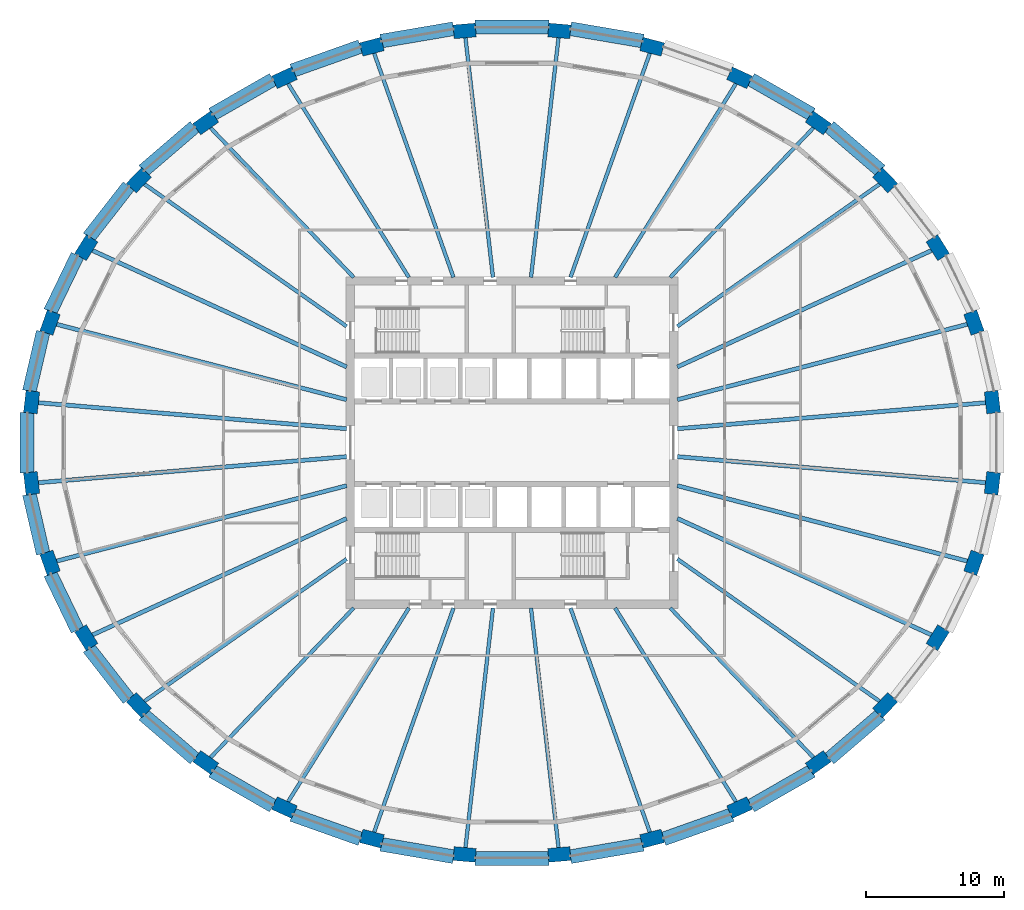
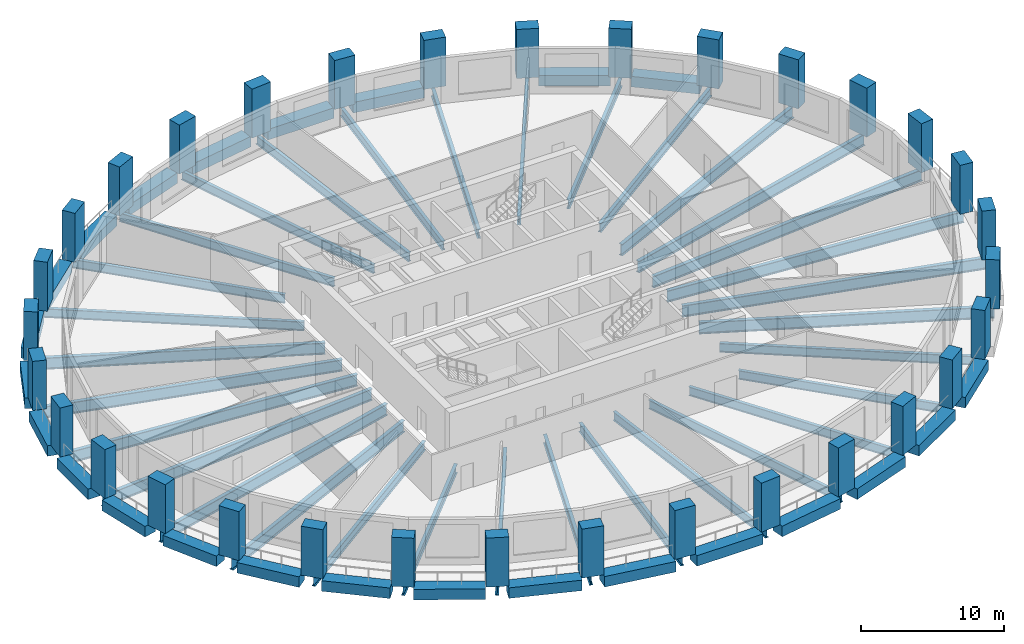
# One storey, part 1 of 10: 56 beams, 32 columns.
"""IFC4 building model written with IfcOpenShell, lengths in metres."""

from ifc_helpers import new_model, si_unit, direction, frame, origin, origin_2d, place, context, subcontext, project, spatial, rectangle, i_section, extrude, material, material_profile, profile_set, type_object, element, save


model = new_model("IFC4")

# Units and contexts
model_context = context("Model", 3, precision=1e-05, world=origin(), true_north=direction((0.0, 1.0)))
body_context = subcontext(model_context, "Body", "Model", "MODEL_VIEW")
ifc_project = project(units=[si_unit("LENGTHUNIT", "METRE"), si_unit("AREAUNIT", "SQUARE_METRE"), si_unit("VOLUMEUNIT", "CUBIC_METRE"), si_unit("PLANEANGLEUNIT", "RADIAN"), si_unit("MASSUNIT", "GRAM", prefix="KILO")], contexts=[model_context])

# Site, building, storey
site_placement = place(None, origin())
site = spatial("IfcSite", under=ifc_project, at=site_placement, CompositionType="ELEMENT")
building_placement = place(site_placement, origin())
building = spatial("IfcBuilding", under=site, at=building_placement, Name="Halqa Exchange Tower", CompositionType="ELEMENT")
storey_placement = place(building_placement, frame((0.0, 0.0, 112.89990234375)))
storey = spatial("IfcBuildingStorey", under=building, at=storey_placement, Name="L25", CompositionType="ELEMENT", Elevation=112.89990234375)

# Columns
ifc_material_1 = material(Name="Concrete C70/85", Category="concrete")
ifc_material_profile_1 = material_profile(ifc_material_1, rectangle(XDim=1.60009765625, YDim=1.0, at=origin_2d()), Name="1600 x 1000")
ifc_profile_set_1 = profile_set([ifc_material_profile_1], Name="Concrete C70/85")
column_type = type_object("IfcColumnType", Name="RC ring column 1600 x 1000 C70/85", PredefinedType="COLUMN", material=ifc_profile_set_1)
for number, where, z_axis, x_axis, name in (
    (1, (34.779052734375, 2.93603515625, 0.0), (0.0, 0.0, 1.0), (-0.114151720218, 0.993463328348, 0.0), "Ring column 1"),
    (2, (33.442626953125, 8.6953125, 0.0), (0.0, 0.0, 1.0), (-0.333624233576, 0.942706142321, 0.0), "Ring column 2"),
    (3, (30.82080078125, 14.12060546875, 0.0), (0.0, 0.0, 1.0), (-0.529141977228, 0.848533303964, 0.0), "Ring column 3"),
    (4, (27.0146484375, 19.003173828125, 0.0), (0.0, 0.0, 1.0), (-0.691573569977, 0.722306027463, 0.0), "Ring column 4"),
    (5, (22.17041015625, 23.155517578125, 0.0), (0.0, 0.0, 1.0), (-0.817906779671, 0.575350762377, 0.0), "Ring column 5"),
    (6, (16.47412109375, 26.41796875, 0.0), (0.0, 0.0, 1.0), (-0.909127095833, 0.416518815449, 0.0), "Ring column 6"),
    (7, (10.144775390625, 28.6650390625, 0.0), (0.0, 0.0, 1.0), (-0.967819942774, 0.251643713153, 0.0), "Ring column 7"),
    (8, (3.42529296875, 29.810791015625, 0.0), (0.0, 0.0, 1.0), (-0.996455518985, 0.084121333105, 0.0), "Ring column 8"),
    (9, (-3.42529296875, 29.810791015625, 0.0), (0.0, 0.0, 1.0), (-0.996455518985, -0.084121333105, 0.0), "Ring column 9"),
    (10, (-10.144775390625, 28.6650390625, 0.0), (0.0, 0.0, 1.0), (-0.967819942774, -0.251643713153, 0.0), "Ring column 10"),
    (11, (-16.47412109375, 26.41796875, 0.0), (0.0, 0.0, 1.0), (-0.909127095833, -0.416518815449, 0.0), "Ring column 11"),
    (12, (-22.17041015625, 23.155517578125, 0.0), (0.0, 0.0, 1.0), (-0.817906779671, -0.575350762377, 0.0), "Ring column 12"),
    (13, (-27.0146484375, 19.003173828125, 0.0), (0.0, 0.0, 1.0), (-0.691573569977, -0.722306027463, 0.0), "Ring column 13"),
    (14, (-30.82080078125, 14.12060546875, 0.0), (0.0, 0.0, 1.0), (-0.529141977228, -0.848533303964, 0.0), "Ring column 14"),
    (15, (-33.442626953125, 8.6953125, 0.0), (0.0, 0.0, 1.0), (-0.333624233576, -0.942706142321, 0.0), "Ring column 15"),
    (16, (-34.779052734375, 2.93603515625, 0.0), (0.0, 0.0, 1.0), (-0.114151720218, -0.993463328348, 0.0), "Ring column 16"),
    (17, (-34.779052734375, -2.93603515625, 0.0), (0.0, 0.0, 1.0), (0.114151720218, -0.993463328348, 0.0), "Ring column 17"),
    (18, (-33.442626953125, -8.6953125, 0.0), (0.0, 0.0, 1.0), (0.333624233576, -0.942706142321, 0.0), "Ring column 18"),
    (19, (-30.82080078125, -14.12060546875, 0.0), (0.0, 0.0, 1.0), (0.529141977228, -0.848533303964, 0.0), "Ring column 19"),
    (20, (-27.0146484375, -19.003173828125, 0.0), (0.0, 0.0, 1.0), (0.691573569977, -0.722306027463, 0.0), "Ring column 20"),
    (21, (-22.17041015625, -23.155517578125, 0.0), (0.0, 0.0, 1.0), (0.817906779671, -0.575350762377, 0.0), "Ring column 21"),
    (22, (-16.47412109375, -26.41796875, 0.0), (0.0, 0.0, 1.0), (0.909127095833, -0.416518815449, 0.0), "Ring column 22"),
    (23, (-10.144775390625, -28.6650390625, 0.0), (0.0, 0.0, 1.0), (0.967819942774, -0.251643713153, 0.0), "Ring column 23"),
    (24, (-3.42529296875, -29.810791015625, 0.0), (0.0, 0.0, 1.0), (0.996455518985, -0.084121333105, 0.0), "Ring column 24"),
    (25, (3.42529296875, -29.810791015625, 0.0), (0.0, 0.0, 1.0), (0.996455518985, 0.084121333105, 0.0), "Ring column 25"),
    (26, (10.144775390625, -28.6650390625, 0.0), (0.0, 0.0, 1.0), (0.967819942774, 0.251643713153, 0.0), "Ring column 26"),
    (27, (16.47412109375, -26.41796875, 0.0), (0.0, 0.0, 1.0), (0.909127095833, 0.416518815449, 0.0), "Ring column 27"),
    (28, (22.17041015625, -23.155517578125, 0.0), (0.0, 0.0, 1.0), (0.817906779671, 0.575350762377, 0.0), "Ring column 28"),
    (29, (27.0146484375, -19.003173828125, 0.0), (0.0, 0.0, 1.0), (0.691573569977, 0.722306027463, 0.0), "Ring column 29"),
    (30, (30.82080078125, -14.12060546875, 0.0), (0.0, 0.0, 1.0), (0.529141977228, 0.848533303964, 0.0), "Ring column 30"),
    (31, (33.442626953125, -8.6953125, 0.0), (0.0, 0.0, 1.0), (0.333624233576, 0.942706142321, 0.0), "Ring column 31"),
    (32, (34.779052734375, -2.93603515625, 0.0), (0.0, 0.0, 1.0), (0.114151720218, 0.993463328348, 0.0), "Ring column 32"),
):
    element("IfcColumn", number, at=place(storey_placement, frame(where, z_axis=z_axis, x_axis=x_axis)), inside=storey, type_object=column_type, Name=name, PredefinedType="COLUMN", context=body_context, shape_type="SweptSolid", body=[
        extrude(rectangle(XDim=1.60009765625, YDim=1.0, at=origin_2d()), origin(), (0.0, 0.0, 1.0), 4.2001953125),
    ])

# Beams
ifc_material_2 = material(Name="Steel S355", Category="steel")
ifc_material_profile_2 = material_profile(ifc_material_2, i_section(OverallWidth=0.300048828125, OverallDepth=0.989990234375, WebThickness=0.0166015625, FlangeThickness=0.031005859375, FilletRadius=0.030029296875, at=origin_2d()), Name="HEA 1000")
ifc_profile_set_2 = profile_set([ifc_material_profile_2], Name="Steel S355")
beam_type_1 = type_object("IfcBeamType", Name="Floor beam HEA 1000", PredefinedType="BEAM", material=ifc_profile_set_2)
beam_1_placement = place(storey_placement, frame((11.972412109375, 1.0107421875, -0.794921875), z_axis=(0.996455564778, 0.084120790668, 0.0), x_axis=(-0.084120790668, 0.996455564778, 0.0)))
element("IfcBeam", 33, at=beam_1_placement, inside=storey, type_object=beam_type_1, Name="Radial beam 1", PredefinedType="BEAM", context=body_context, shape_type="SweptSolid", body=[
    extrude(i_section(OverallWidth=0.300048828125, OverallDepth=0.989990234375, WebThickness=0.0166015625, FlangeThickness=0.031005859375, FilletRadius=0.030029296875, at=origin_2d()), origin(), (0.0, 0.0, 1.0), 22.99755859375),
])
beam_2_placement = place(storey_placement, frame((11.97119140625, 3.11279296875, -0.794921875), z_axis=(0.96782122626, 0.251638776821, 0.0), x_axis=(-0.251638776821, 0.96782122626, 0.0)))
element("IfcBeam", 34, at=beam_2_placement, inside=storey, type_object=beam_type_1, Name="Radial beam 2", PredefinedType="BEAM", context=body_context, shape_type="SweptSolid", body=[
    extrude(i_section(OverallWidth=0.300048828125, OverallDepth=0.989990234375, WebThickness=0.0166015625, FlangeThickness=0.031005859375, FilletRadius=0.030029296875, at=origin_2d()), origin(), (0.0, 0.0, 1.0), 22.28759765625),
])
for number, where, z_axis, x_axis, name in (
    (35, (11.972412109375, 5.485107421875, -0.794921875), (0.909124576493, 0.416524314316, 0.0), (-0.416524314316, 0.909124576493, 0.0), "Radial beam 3"),
    (36, (-11.972412109375, 5.485107421875, -0.794921875), (-0.909124576493, 0.416524314316, 0.0), (-0.416524314316, -0.909124576493, 0.0), "Radial beam 14"),
):
    element("IfcBeam", number, at=place(storey_placement, frame(where, z_axis=z_axis, x_axis=x_axis)), inside=storey, type_object=beam_type_1, Name=name, PredefinedType="BEAM", context=body_context, shape_type="SweptSolid", body=[
        extrude(i_section(OverallWidth=0.300048828125, OverallDepth=0.989990234375, WebThickness=0.0166015625, FlangeThickness=0.031005859375, FilletRadius=0.030029296875, at=origin_2d()), origin(), (0.0, 0.0, 1.0), 20.82421875),
    ])
beam_3_placement = place(storey_placement, frame((-11.97119140625, 3.11279296875, -0.794921875), z_axis=(-0.96782122626, 0.251638776821, 0.0), x_axis=(-0.251638776821, -0.96782122626, 0.0)))
element("IfcBeam", 37, at=beam_3_placement, inside=storey, type_object=beam_type_1, Name="Radial beam 15", PredefinedType="BEAM", context=body_context, shape_type="SweptSolid", body=[
    extrude(i_section(OverallWidth=0.300048828125, OverallDepth=0.989990234375, WebThickness=0.0166015625, FlangeThickness=0.031005859375, FilletRadius=0.030029296875, at=origin_2d()), origin(), (0.0, 0.0, 1.0), 22.28759765625),
])
for number, where, z_axis, x_axis, name in (
    (38, (-11.972412109375, 1.0107421875, -0.794921875), (-0.996455564778, 0.084120790668, 0.0), (-0.084120790668, -0.996455564778, 0.0), "Radial beam 16"),
    (39, (-11.972412109375, -1.0107421875, -0.794921875), (-0.996455564778, -0.084120790668, 0.0), (0.084120790668, -0.996455564778, 0.0), "Radial beam 17"),
):
    element("IfcBeam", number, at=place(storey_placement, frame(where, z_axis=z_axis, x_axis=x_axis)), inside=storey, type_object=beam_type_1, Name=name, PredefinedType="BEAM", context=body_context, shape_type="SweptSolid", body=[
        extrude(i_section(OverallWidth=0.300048828125, OverallDepth=0.989990234375, WebThickness=0.0166015625, FlangeThickness=0.031005859375, FilletRadius=0.030029296875, at=origin_2d()), origin(), (0.0, 0.0, 1.0), 22.99755859375),
    ])
beam_4_placement = place(storey_placement, frame((-11.97119140625, -3.11279296875, -0.794921875), z_axis=(-0.96782122626, -0.251638776821, 0.0), x_axis=(0.251638776821, -0.96782122626, 0.0)))
element("IfcBeam", 40, at=beam_4_placement, inside=storey, type_object=beam_type_1, Name="Radial beam 18", PredefinedType="BEAM", context=body_context, shape_type="SweptSolid", body=[
    extrude(i_section(OverallWidth=0.300048828125, OverallDepth=0.989990234375, WebThickness=0.0166015625, FlangeThickness=0.031005859375, FilletRadius=0.030029296875, at=origin_2d()), origin(), (0.0, 0.0, 1.0), 22.28759765625),
])
for number, where, z_axis, x_axis, name in (
    (41, (-11.972412109375, -5.485107421875, -0.794921875), (-0.909124576493, -0.416524314316, 0.0), (0.416524314316, -0.909124576493, 0.0), "Radial beam 19"),
    (42, (11.972412109375, -5.485107421875, -0.794921875), (0.909124576493, -0.416524314316, 0.0), (0.416524314316, 0.909124576493, 0.0), "Radial beam 30"),
):
    element("IfcBeam", number, at=place(storey_placement, frame(where, z_axis=z_axis, x_axis=x_axis)), inside=storey, type_object=beam_type_1, Name=name, PredefinedType="BEAM", context=body_context, shape_type="SweptSolid", body=[
        extrude(i_section(OverallWidth=0.300048828125, OverallDepth=0.989990234375, WebThickness=0.0166015625, FlangeThickness=0.031005859375, FilletRadius=0.030029296875, at=origin_2d()), origin(), (0.0, 0.0, 1.0), 20.82421875),
    ])
beam_5_placement = place(storey_placement, frame((11.97119140625, -3.11279296875, -0.794921875), z_axis=(0.96782122626, -0.251638776821, 0.0), x_axis=(0.251638776821, 0.96782122626, 0.0)))
element("IfcBeam", 43, at=beam_5_placement, inside=storey, type_object=beam_type_1, Name="Radial beam 31", PredefinedType="BEAM", context=body_context, shape_type="SweptSolid", body=[
    extrude(i_section(OverallWidth=0.300048828125, OverallDepth=0.989990234375, WebThickness=0.0166015625, FlangeThickness=0.031005859375, FilletRadius=0.030029296875, at=origin_2d()), origin(), (0.0, 0.0, 1.0), 22.28759765625),
])
beam_6_placement = place(storey_placement, frame((11.972412109375, -1.0107421875, -0.794921875), z_axis=(0.996455564778, -0.084120790668, 0.0), x_axis=(0.084120790668, 0.996455564778, 0.0)))
element("IfcBeam", 44, at=beam_6_placement, inside=storey, type_object=beam_type_1, Name="Radial beam 32", PredefinedType="BEAM", context=body_context, shape_type="SweptSolid", body=[
    extrude(i_section(OverallWidth=0.300048828125, OverallDepth=0.989990234375, WebThickness=0.0166015625, FlangeThickness=0.031005859375, FilletRadius=0.030029296875, at=origin_2d()), origin(), (0.0, 0.0, 1.0), 22.99755859375),
])
ifc_material_profile_3 = material_profile(ifc_material_2, i_section(OverallWidth=0.264892578125, OverallDepth=0.7529296875, WebThickness=0.01318359375, FlangeThickness=0.01708984375, FilletRadius=0.01708984375, at=origin_2d()), Name="IPE 750x147")
ifc_profile_set_3 = profile_set([ifc_material_profile_3], Name="Steel S355")
beam_type_2 = type_object("IfcBeamType", Name="Floor beam IPE 750x147", PredefinedType="BEAM", material=ifc_profile_set_3)
beam_7_placement = place(storey_placement, frame((11.462890625, 11.97216796875, -0.676513671875), z_axis=(0.691575508038, 0.722304171857, 0.0), x_axis=(-0.722304171857, 0.691575508038, 0.0)))
element("IfcBeam", 45, at=beam_7_placement, inside=storey, type_object=beam_type_2, Name="Radial beam 5", PredefinedType="BEAM", context=body_context, shape_type="SweptSolid", body=[
    extrude(i_section(OverallWidth=0.264892578125, OverallDepth=0.7529296875, WebThickness=0.01318359375, FlangeThickness=0.01708984375, FilletRadius=0.01708984375, at=origin_2d()), origin(), (0.0, 0.0, 1.0), 15.54833984375),
])
beam_8_placement = place(storey_placement, frame((7.466064453125, 11.972412109375, -0.676513671875), z_axis=(0.529145374109, 0.848531185673, 0.0), x_axis=(-0.848531185673, 0.529145374109, 0.0)))
element("IfcBeam", 46, at=beam_8_placement, inside=storey, type_object=beam_type_2, Name="Radial beam 6", PredefinedType="BEAM", context=body_context, shape_type="SweptSolid", body=[
    extrude(i_section(OverallWidth=0.264892578125, OverallDepth=0.7529296875, WebThickness=0.01318359375, FlangeThickness=0.01708984375, FilletRadius=0.01708984375, at=origin_2d()), origin(), (0.0, 0.0, 1.0), 17.076904296875),
])
beam_9_placement = place(storey_placement, frame((4.23681640625, 11.9716796875, -0.676513671875), z_axis=(0.333629227982, 0.942704374784, 0.0), x_axis=(-0.942704374784, 0.333629227982, 0.0)))
element("IfcBeam", 47, at=beam_9_placement, inside=storey, type_object=beam_type_2, Name="Radial beam 7", PredefinedType="BEAM", context=body_context, shape_type="SweptSolid", body=[
    extrude(i_section(OverallWidth=0.264892578125, OverallDepth=0.7529296875, WebThickness=0.01318359375, FlangeThickness=0.01708984375, FilletRadius=0.01708984375, at=origin_2d()), origin(), (0.0, 0.0, 1.0), 17.75341796875),
])
for number, where, z_axis, x_axis, name in (
    (48, (1.375732421875, 11.972900390625, -0.676513671875), (0.11415496494, 0.993462955515, 0.0), (-0.993462955515, 0.11415496494, 0.0), "Radial beam 8"),
    (49, (-1.375732421875, 11.972900390625, -0.676513671875), (-0.11415496494, 0.993462955515, 0.0), (-0.993462955515, -0.11415496494, 0.0), "Radial beam 9"),
):
    element("IfcBeam", number, at=place(storey_placement, frame(where, z_axis=z_axis, x_axis=x_axis)), inside=storey, type_object=beam_type_2, Name=name, PredefinedType="BEAM", context=body_context, shape_type="SweptSolid", body=[
        extrude(i_section(OverallWidth=0.264892578125, OverallDepth=0.7529296875, WebThickness=0.01318359375, FlangeThickness=0.01708984375, FilletRadius=0.01708984375, at=origin_2d()), origin(), (0.0, 0.0, 1.0), 17.994873046875),
    ])
beam_10_placement = place(storey_placement, frame((-4.23681640625, 11.9716796875, -0.676513671875), z_axis=(-0.333629227982, 0.942704374784, 0.0), x_axis=(-0.942704374784, -0.333629227982, 0.0)))
element("IfcBeam", 50, at=beam_10_placement, inside=storey, type_object=beam_type_2, Name="Radial beam 10", PredefinedType="BEAM", context=body_context, shape_type="SweptSolid", body=[
    extrude(i_section(OverallWidth=0.264892578125, OverallDepth=0.7529296875, WebThickness=0.01318359375, FlangeThickness=0.01708984375, FilletRadius=0.01708984375, at=origin_2d()), origin(), (0.0, 0.0, 1.0), 17.75341796875),
])
beam_11_placement = place(storey_placement, frame((-7.466064453125, 11.972412109375, -0.676513671875), z_axis=(-0.529145374109, 0.848531185673, 0.0), x_axis=(-0.848531185673, -0.529145374109, 0.0)))
element("IfcBeam", 51, at=beam_11_placement, inside=storey, type_object=beam_type_2, Name="Radial beam 11", PredefinedType="BEAM", context=body_context, shape_type="SweptSolid", body=[
    extrude(i_section(OverallWidth=0.264892578125, OverallDepth=0.7529296875, WebThickness=0.01318359375, FlangeThickness=0.01708984375, FilletRadius=0.01708984375, at=origin_2d()), origin(), (0.0, 0.0, 1.0), 17.076904296875),
])
for number, where, z_axis, x_axis, name in (
    (52, (-11.462890625, 11.97216796875, -0.676513671875), (-0.691575508038, 0.722304171857, 0.0), (-0.722304171857, -0.691575508038, 0.0), "Radial beam 12"),
    (53, (-11.462890625, -11.97216796875, -0.676513671875), (-0.691575508038, -0.722304171857, 0.0), (0.722304171857, -0.691575508038, 0.0), "Radial beam 21"),
):
    element("IfcBeam", number, at=place(storey_placement, frame(where, z_axis=z_axis, x_axis=x_axis)), inside=storey, type_object=beam_type_2, Name=name, PredefinedType="BEAM", context=body_context, shape_type="SweptSolid", body=[
        extrude(i_section(OverallWidth=0.264892578125, OverallDepth=0.7529296875, WebThickness=0.01318359375, FlangeThickness=0.01708984375, FilletRadius=0.01708984375, at=origin_2d()), origin(), (0.0, 0.0, 1.0), 15.54833984375),
    ])
beam_12_placement = place(storey_placement, frame((-7.466064453125, -11.972412109375, -0.676513671875), z_axis=(-0.529145374109, -0.848531185673, 0.0), x_axis=(0.848531185673, -0.529145374109, 0.0)))
element("IfcBeam", 54, at=beam_12_placement, inside=storey, type_object=beam_type_2, Name="Radial beam 22", PredefinedType="BEAM", context=body_context, shape_type="SweptSolid", body=[
    extrude(i_section(OverallWidth=0.264892578125, OverallDepth=0.7529296875, WebThickness=0.01318359375, FlangeThickness=0.01708984375, FilletRadius=0.01708984375, at=origin_2d()), origin(), (0.0, 0.0, 1.0), 17.076904296875),
])
beam_13_placement = place(storey_placement, frame((-4.23681640625, -11.9716796875, -0.676513671875), z_axis=(-0.333629227982, -0.942704374784, 0.0), x_axis=(0.942704374784, -0.333629227982, 0.0)))
element("IfcBeam", 55, at=beam_13_placement, inside=storey, type_object=beam_type_2, Name="Radial beam 23", PredefinedType="BEAM", context=body_context, shape_type="SweptSolid", body=[
    extrude(i_section(OverallWidth=0.264892578125, OverallDepth=0.7529296875, WebThickness=0.01318359375, FlangeThickness=0.01708984375, FilletRadius=0.01708984375, at=origin_2d()), origin(), (0.0, 0.0, 1.0), 17.75341796875),
])
for number, where, z_axis, x_axis, name in (
    (56, (-1.375732421875, -11.972900390625, -0.676513671875), (-0.11415496494, -0.993462955515, 0.0), (0.993462955515, -0.11415496494, 0.0), "Radial beam 24"),
    (57, (1.375732421875, -11.972900390625, -0.676513671875), (0.11415496494, -0.993462955515, 0.0), (0.993462955515, 0.11415496494, 0.0), "Radial beam 25"),
):
    element("IfcBeam", number, at=place(storey_placement, frame(where, z_axis=z_axis, x_axis=x_axis)), inside=storey, type_object=beam_type_2, Name=name, PredefinedType="BEAM", context=body_context, shape_type="SweptSolid", body=[
        extrude(i_section(OverallWidth=0.264892578125, OverallDepth=0.7529296875, WebThickness=0.01318359375, FlangeThickness=0.01708984375, FilletRadius=0.01708984375, at=origin_2d()), origin(), (0.0, 0.0, 1.0), 17.994873046875),
    ])
beam_14_placement = place(storey_placement, frame((4.23681640625, -11.9716796875, -0.676513671875), z_axis=(0.333629227982, -0.942704374784, 0.0), x_axis=(0.942704374784, 0.333629227982, 0.0)))
element("IfcBeam", 58, at=beam_14_placement, inside=storey, type_object=beam_type_2, Name="Radial beam 26", PredefinedType="BEAM", context=body_context, shape_type="SweptSolid", body=[
    extrude(i_section(OverallWidth=0.264892578125, OverallDepth=0.7529296875, WebThickness=0.01318359375, FlangeThickness=0.01708984375, FilletRadius=0.01708984375, at=origin_2d()), origin(), (0.0, 0.0, 1.0), 17.75341796875),
])
beam_15_placement = place(storey_placement, frame((7.466064453125, -11.972412109375, -0.676513671875), z_axis=(0.529145374109, -0.848531185673, 0.0), x_axis=(0.848531185673, 0.529145374109, 0.0)))
element("IfcBeam", 59, at=beam_15_placement, inside=storey, type_object=beam_type_2, Name="Radial beam 27", PredefinedType="BEAM", context=body_context, shape_type="SweptSolid", body=[
    extrude(i_section(OverallWidth=0.264892578125, OverallDepth=0.7529296875, WebThickness=0.01318359375, FlangeThickness=0.01708984375, FilletRadius=0.01708984375, at=origin_2d()), origin(), (0.0, 0.0, 1.0), 17.076904296875),
])
beam_16_placement = place(storey_placement, frame((11.462890625, -11.97216796875, -0.676513671875), z_axis=(0.691575508038, -0.722304171857, 0.0), x_axis=(0.722304171857, 0.691575508038, 0.0)))
element("IfcBeam", 60, at=beam_16_placement, inside=storey, type_object=beam_type_2, Name="Radial beam 28", PredefinedType="BEAM", context=body_context, shape_type="SweptSolid", body=[
    extrude(i_section(OverallWidth=0.264892578125, OverallDepth=0.7529296875, WebThickness=0.01318359375, FlangeThickness=0.01708984375, FilletRadius=0.01708984375, at=origin_2d()), origin(), (0.0, 0.0, 1.0), 15.54833984375),
])
ifc_material_profile_4 = material_profile(ifc_material_2, i_section(OverallWidth=0.26806640625, OverallDepth=0.77001953125, WebThickness=0.015625, FlangeThickness=0.025390625, FilletRadius=0.01708984375, at=origin_2d()), Name="IPE 750x196")
ifc_profile_set_4 = profile_set([ifc_material_profile_4], Name="Steel S355")
beam_type_3 = type_object("IfcBeamType", Name="Floor beam IPE 750x196", PredefinedType="BEAM", material=ifc_profile_set_4)
for number, where, z_axis, x_axis, name in (
    (61, (11.971435546875, 8.421142578125, -0.684814453125), (0.817907777386, 0.575349344043, 0.0), (-0.575349344043, 0.817907777386, 0.0), "Radial beam 4"),
    (62, (-11.971435546875, 8.421142578125, -0.684814453125), (-0.817907777386, 0.575349344043, 0.0), (-0.575349344043, -0.817907777386, 0.0), "Radial beam 13"),
    (63, (-11.971435546875, -8.421142578125, -0.684814453125), (-0.817907777386, -0.575349344043, 0.0), (0.575349344043, -0.817907777386, 0.0), "Radial beam 20"),
    (64, (11.971435546875, -8.421142578125, -0.684814453125), (0.817907777386, -0.575349344043, 0.0), (0.575349344043, 0.817907777386, 0.0), "Radial beam 29"),
):
    element("IfcBeam", number, at=place(storey_placement, frame(where, z_axis=z_axis, x_axis=x_axis)), inside=storey, type_object=beam_type_3, Name=name, PredefinedType="BEAM", context=body_context, shape_type="SweptSolid", body=[
        extrude(i_section(OverallWidth=0.26806640625, OverallDepth=0.77001953125, WebThickness=0.015625, FlangeThickness=0.025390625, FilletRadius=0.01708984375, at=origin_2d()), origin(), (0.0, 0.0, 1.0), 18.4716796875),
    ])
ifc_material_3 = material(Name="Concrete C60/75", Category="concrete")
ifc_material_profile_5 = material_profile(ifc_material_3, rectangle(XDim=1.0, YDim=0.89990234375, at=origin_2d()), Name="1000 x 900")
ifc_profile_set_5 = profile_set([ifc_material_profile_5], Name="Concrete C60/75")
beam_type_4 = type_object("IfcBeamType", Name="RC spandrel beam 1000 x 900 C60/75", PredefinedType="SPANDREL", material=ifc_profile_set_5)
beam_17_placement = place(storey_placement, frame((26.69091796875, 19.693603515625, -0.449951171875), z_axis=(-0.75929182772, 0.650750274957, 0.0), x_axis=(-0.650750274957, -0.75929182772, 0.0)))
element("IfcBeam", 65, at=beam_17_placement, inside=storey, type_object=beam_type_4, Name="Spandrel 4", PredefinedType="SPANDREL", context=body_context, shape_type="SweptSolid", body=[
    extrude(rectangle(XDim=1.0, YDim=0.89990234375, at=origin_2d()), origin(), (0.0, 0.0, 1.0), 4.89208984375),
])
beam_18_placement = place(storey_placement, frame((21.71533203125, 23.76708984375, -0.449951171875), z_axis=(-0.86776348746, 0.496977393682, 0.0), x_axis=(-0.496977393682, -0.86776348746, 0.0)))
element("IfcBeam", 66, at=beam_18_placement, inside=storey, type_object=beam_type_4, Name="Spandrel 5", PredefinedType="SPANDREL", context=body_context, shape_type="SweptSolid", body=[
    extrude(rectangle(XDim=1.0, YDim=0.89990234375, at=origin_2d()), origin(), (0.0, 0.0, 1.0), 5.07861328125),
])
beam_19_placement = place(storey_placement, frame((9.479736328125, 29.075927734375, -0.449951171875), z_axis=(-0.985775855536, 0.168065352298, 0.0), x_axis=(-0.168065352298, -0.985775855536, 0.0)))
element("IfcBeam", 67, at=beam_19_placement, inside=storey, type_object=beam_type_4, Name="Spandrel 7", PredefinedType="SPANDREL", context=body_context, shape_type="SweptSolid", body=[
    extrude(rectangle(XDim=1.0, YDim=0.89990234375, at=origin_2d()), origin(), (0.0, 0.0, 1.0), 5.332763671875),
])
beam_20_placement = place(storey_placement, frame((2.68408203125, 30.102294921875, -0.449951171875), z_axis=(-1.0, 0.0, 0.0), x_axis=(0.0, -1.0, 0.0)))
element("IfcBeam", 68, at=beam_20_placement, inside=storey, type_object=beam_type_4, Name="Spandrel 8", PredefinedType="SPANDREL", context=body_context, shape_type="SweptSolid", body=[
    extrude(rectangle(XDim=1.0, YDim=0.89990234375, at=origin_2d()), origin(), (0.0, 0.0, 1.0), 5.3681640625),
])
beam_21_placement = place(storey_placement, frame((-4.222900390625, 29.97216796875, -0.449951171875), z_axis=(-0.985775855536, -0.168065352298, 0.0), x_axis=(0.168065352298, -0.985775855536, 0.0)))
element("IfcBeam", 69, at=beam_21_placement, inside=storey, type_object=beam_type_4, Name="Spandrel 9", PredefinedType="SPANDREL", context=body_context, shape_type="SweptSolid", body=[
    extrude(rectangle(XDim=1.0, YDim=0.89990234375, at=origin_2d()), origin(), (0.0, 0.0, 1.0), 5.332763671875),
])
beam_22_placement = place(storey_placement, frame((-10.97509765625, 28.68603515625, -0.449951171875), z_axis=(-0.94236843099, -0.334576957177, 0.0), x_axis=(0.334576957177, -0.94236843099, 0.0)))
element("IfcBeam", 70, at=beam_22_placement, inside=storey, type_object=beam_type_4, Name="Spandrel 10", PredefinedType="SPANDREL", context=body_context, shape_type="SweptSolid", body=[
    extrude(rectangle(XDim=1.0, YDim=0.89990234375, at=origin_2d()), origin(), (0.0, 0.0, 1.0), 5.23193359375),
])
beam_23_placement = place(storey_placement, frame((-17.308349609375, 26.291015625, -0.449951171875), z_axis=(-0.86776348746, -0.496977393682, 0.0), x_axis=(0.496977393682, -0.86776348746, 0.0)))
element("IfcBeam", 71, at=beam_23_placement, inside=storey, type_object=beam_type_4, Name="Spandrel 11", PredefinedType="SPANDREL", context=body_context, shape_type="SweptSolid", body=[
    extrude(rectangle(XDim=1.0, YDim=0.89990234375, at=origin_2d()), origin(), (0.0, 0.0, 1.0), 5.07861328125),
])
beam_24_placement = place(storey_placement, frame((-22.976318359375, 22.877197265625, -0.449951171875), z_axis=(-0.75929182772, -0.650750274957, 0.0), x_axis=(0.650750274957, -0.75929182772, 0.0)))
element("IfcBeam", 72, at=beam_24_placement, inside=storey, type_object=beam_type_4, Name="Spandrel 12", PredefinedType="SPANDREL", context=body_context, shape_type="SweptSolid", body=[
    extrude(rectangle(XDim=1.0, YDim=0.89990234375, at=origin_2d()), origin(), (0.0, 0.0, 1.0), 4.89208984375),
])
beam_25_placement = place(storey_placement, frame((-27.75634765625, 18.5771484375, -0.449951171875), z_axis=(-0.614814102192, -0.788672060965, 0.0), x_axis=(0.788672060965, -0.614814102192, 0.0)))
element("IfcBeam", 73, at=beam_25_placement, inside=storey, type_object=beam_type_4, Name="Spandrel 13", PredefinedType="SPANDREL", context=body_context, shape_type="SweptSolid", body=[
    extrude(rectangle(XDim=1.0, YDim=0.89990234375, at=origin_2d()), origin(), (0.0, 0.0, 1.0), 4.699951171875),
])
beam_26_placement = place(storey_placement, frame((-31.46044921875, 13.559814453125, -0.449951171875), z_axis=(-0.435101676996, -0.900381325148, 0.0), x_axis=(0.900381325148, -0.435101676996, 0.0)))
element("IfcBeam", 74, at=beam_26_placement, inside=storey, type_object=beam_type_4, Name="Spandrel 14", PredefinedType="SPANDREL", context=body_context, shape_type="SweptSolid", body=[
    extrude(rectangle(XDim=1.0, YDim=0.89990234375, at=origin_2d()), origin(), (0.0, 0.0, 1.0), 4.530517578125),
])
beam_27_placement = place(storey_placement, frame((-33.9453125, 8.0244140625, -0.449951171875), z_axis=(-0.226062276551, -0.974112851327, 0.0), x_axis=(0.974112851327, -0.226062276551, 0.0)))
element("IfcBeam", 75, at=beam_27_placement, inside=storey, type_object=beam_type_4, Name="Spandrel 15", PredefinedType="SPANDREL", context=body_context, shape_type="SweptSolid", body=[
    extrude(rectangle(XDim=1.0, YDim=0.89990234375, at=origin_2d()), origin(), (0.0, 0.0, 1.0), 4.4169921875),
])
beam_28_placement = place(storey_placement, frame((-35.11962890625, 2.1875, -0.449951171875), z_axis=(0.0, -1.0, 0.0), x_axis=(1.0, 0.0, 0.0)))
element("IfcBeam", 76, at=beam_28_placement, inside=storey, type_object=beam_type_4, Name="Spandrel 16", PredefinedType="SPANDREL", context=body_context, shape_type="SweptSolid", body=[
    extrude(rectangle(XDim=1.0, YDim=0.89990234375, at=origin_2d()), origin(), (0.0, 0.0, 1.0), 4.375),
])
beam_29_placement = place(storey_placement, frame((-34.94384765625, -3.7216796875, -0.449951171875), z_axis=(0.226062276551, -0.974112851327, 0.0), x_axis=(0.974112851327, 0.226062276551, 0.0)))
element("IfcBeam", 77, at=beam_29_placement, inside=storey, type_object=beam_type_4, Name="Spandrel 17", PredefinedType="SPANDREL", context=body_context, shape_type="SweptSolid", body=[
    extrude(rectangle(XDim=1.0, YDim=0.89990234375, at=origin_2d()), origin(), (0.0, 0.0, 1.0), 4.4169921875),
])
beam_30_placement = place(storey_placement, frame((-33.431640625, -9.480712890625, -0.449951171875), z_axis=(0.435101676996, -0.900381325148, 0.0), x_axis=(0.900381325148, 0.435101676996, 0.0)))
element("IfcBeam", 78, at=beam_30_placement, inside=storey, type_object=beam_type_4, Name="Spandrel 18", PredefinedType="SPANDREL", context=body_context, shape_type="SweptSolid", body=[
    extrude(rectangle(XDim=1.0, YDim=0.89990234375, at=origin_2d()), origin(), (0.0, 0.0, 1.0), 4.530517578125),
])
beam_31_placement = place(storey_placement, frame((-30.64599609375, -14.870361328125, -0.449951171875), z_axis=(0.614814102192, -0.788672060965, 0.0), x_axis=(0.788672060965, 0.614814102192, 0.0)))
element("IfcBeam", 79, at=beam_31_placement, inside=storey, type_object=beam_type_4, Name="Spandrel 19", PredefinedType="SPANDREL", context=body_context, shape_type="SweptSolid", body=[
    extrude(rectangle(XDim=1.0, YDim=0.89990234375, at=origin_2d()), origin(), (0.0, 0.0, 1.0), 4.699951171875),
])
beam_32_placement = place(storey_placement, frame((-26.69091796875, -19.693603515625, -0.449951171875), z_axis=(0.75929182772, -0.650750274957, 0.0), x_axis=(0.650750274957, 0.75929182772, 0.0)))
element("IfcBeam", 80, at=beam_32_placement, inside=storey, type_object=beam_type_4, Name="Spandrel 20", PredefinedType="SPANDREL", context=body_context, shape_type="SweptSolid", body=[
    extrude(rectangle(XDim=1.0, YDim=0.89990234375, at=origin_2d()), origin(), (0.0, 0.0, 1.0), 4.89208984375),
])
beam_33_placement = place(storey_placement, frame((-21.71533203125, -23.76708984375, -0.449951171875), z_axis=(0.86776348746, -0.496977393682, 0.0), x_axis=(0.496977393682, 0.86776348746, 0.0)))
element("IfcBeam", 81, at=beam_33_placement, inside=storey, type_object=beam_type_4, Name="Spandrel 21", PredefinedType="SPANDREL", context=body_context, shape_type="SweptSolid", body=[
    extrude(rectangle(XDim=1.0, YDim=0.89990234375, at=origin_2d()), origin(), (0.0, 0.0, 1.0), 5.07861328125),
])
beam_34_placement = place(storey_placement, frame((-15.905517578125, -26.935546875, -0.449951171875), z_axis=(0.94236843099, -0.334576957177, 0.0), x_axis=(0.334576957177, 0.94236843099, 0.0)))
element("IfcBeam", 82, at=beam_34_placement, inside=storey, type_object=beam_type_4, Name="Spandrel 22", PredefinedType="SPANDREL", context=body_context, shape_type="SweptSolid", body=[
    extrude(rectangle(XDim=1.0, YDim=0.89990234375, at=origin_2d()), origin(), (0.0, 0.0, 1.0), 5.23193359375),
])
beam_35_placement = place(storey_placement, frame((-9.479736328125, -29.075927734375, -0.449951171875), z_axis=(0.985775855536, -0.168065352298, 0.0), x_axis=(0.168065352298, 0.985775855536, 0.0)))
element("IfcBeam", 83, at=beam_35_placement, inside=storey, type_object=beam_type_4, Name="Spandrel 23", PredefinedType="SPANDREL", context=body_context, shape_type="SweptSolid", body=[
    extrude(rectangle(XDim=1.0, YDim=0.89990234375, at=origin_2d()), origin(), (0.0, 0.0, 1.0), 5.332763671875),
])
beam_36_placement = place(storey_placement, frame((-2.68408203125, -30.102294921875, -0.449951171875), z_axis=(1.0, 0.0, 0.0), x_axis=(0.0, 1.0, 0.0)))
element("IfcBeam", 84, at=beam_36_placement, inside=storey, type_object=beam_type_4, Name="Spandrel 24", PredefinedType="SPANDREL", context=body_context, shape_type="SweptSolid", body=[
    extrude(rectangle(XDim=1.0, YDim=0.89990234375, at=origin_2d()), origin(), (0.0, 0.0, 1.0), 5.3681640625),
])
beam_37_placement = place(storey_placement, frame((4.222900390625, -29.97216796875, -0.449951171875), z_axis=(0.985775855536, 0.168065352298, 0.0), x_axis=(-0.168065352298, 0.985775855536, 0.0)))
element("IfcBeam", 85, at=beam_37_placement, inside=storey, type_object=beam_type_4, Name="Spandrel 25", PredefinedType="SPANDREL", context=body_context, shape_type="SweptSolid", body=[
    extrude(rectangle(XDim=1.0, YDim=0.89990234375, at=origin_2d()), origin(), (0.0, 0.0, 1.0), 5.332763671875),
])
beam_38_placement = place(storey_placement, frame((10.97509765625, -28.68603515625, -0.449951171875), z_axis=(0.94236843099, 0.334576957177, 0.0), x_axis=(-0.334576957177, 0.94236843099, 0.0)))
element("IfcBeam", 86, at=beam_38_placement, inside=storey, type_object=beam_type_4, Name="Spandrel 26", PredefinedType="SPANDREL", context=body_context, shape_type="SweptSolid", body=[
    extrude(rectangle(XDim=1.0, YDim=0.89990234375, at=origin_2d()), origin(), (0.0, 0.0, 1.0), 5.23193359375),
])
beam_39_placement = place(storey_placement, frame((17.308349609375, -26.291015625, -0.449951171875), z_axis=(0.86776348746, 0.496977393682, 0.0), x_axis=(-0.496977393682, 0.86776348746, 0.0)))
element("IfcBeam", 87, at=beam_39_placement, inside=storey, type_object=beam_type_4, Name="Spandrel 27", PredefinedType="SPANDREL", context=body_context, shape_type="SweptSolid", body=[
    extrude(rectangle(XDim=1.0, YDim=0.89990234375, at=origin_2d()), origin(), (0.0, 0.0, 1.0), 5.07861328125),
])
beam_40_placement = place(storey_placement, frame((22.976318359375, -22.877197265625, -0.449951171875), z_axis=(0.75929182772, 0.650750274957, 0.0), x_axis=(-0.650750274957, 0.75929182772, 0.0)))
element("IfcBeam", 88, at=beam_40_placement, inside=storey, type_object=beam_type_4, Name="Spandrel 28", PredefinedType="SPANDREL", context=body_context, shape_type="SweptSolid", body=[
    extrude(rectangle(XDim=1.0, YDim=0.89990234375, at=origin_2d()), origin(), (0.0, 0.0, 1.0), 4.89208984375),
])

save(model, "model.ifc")
